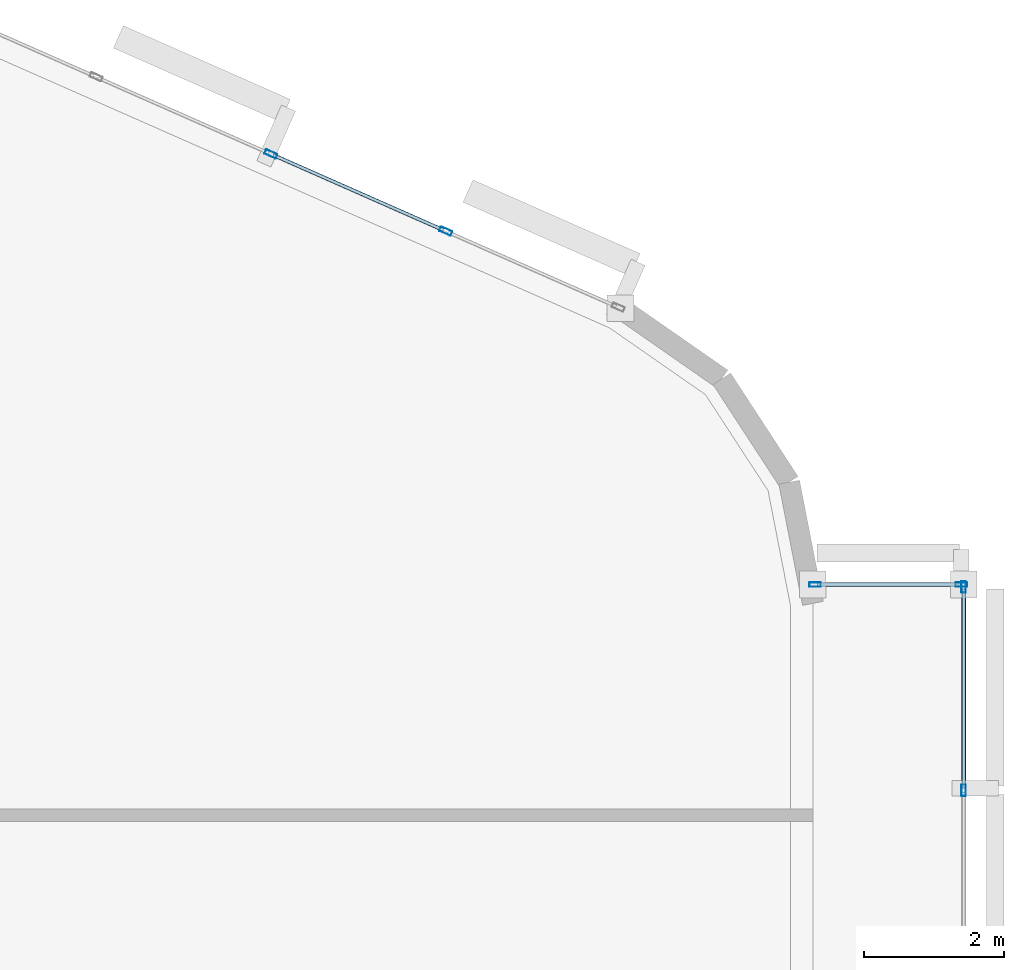
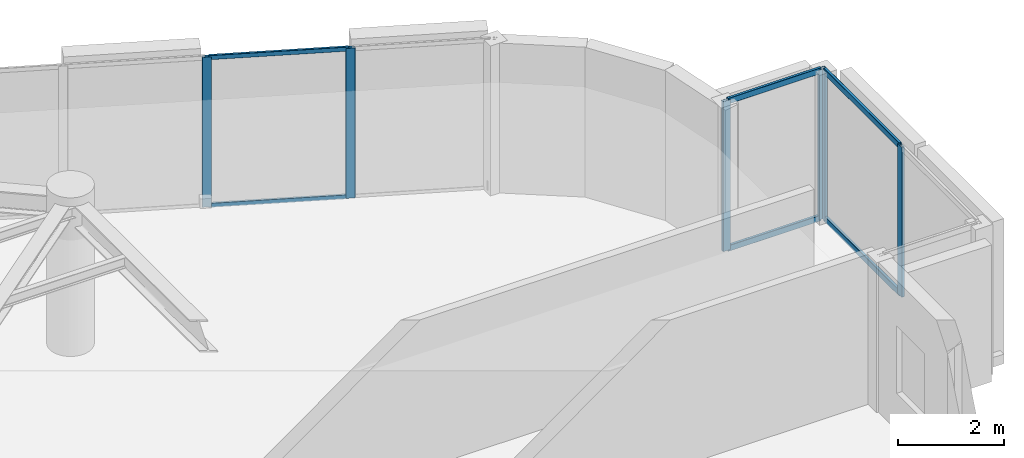
# One storey, part 7 of 13: 12 members, 3 elements without a shape of their own.
"""IFC4 building model written with IfcOpenShell, lengths in metres."""

from ifc_helpers import new_model, si_unit, direction, frame, origin, origin_2d, place, context, subcontext, project, spatial, hollow_rectangle, extrude, material, layer, layer_set, material_profile, profile_set, type_object, element, aggregate, save


model = new_model("IFC4")

# Units and contexts
model_context = context("Model", 3, precision=1e-05, world=origin(), true_north=direction((0.0, 1.0)))
body_context = subcontext(model_context, "Body", "Model", "MODEL_VIEW")
ifc_project = project(units=[si_unit("LENGTHUNIT", "METRE"), si_unit("AREAUNIT", "SQUARE_METRE"), si_unit("VOLUMEUNIT", "CUBIC_METRE"), si_unit("PLANEANGLEUNIT", "RADIAN"), si_unit("MASSUNIT", "GRAM", prefix="KILO")], contexts=[model_context])

# Site, building, storey
site_placement = place(None, origin())
site = spatial("IfcSite", under=ifc_project, at=site_placement, CompositionType="ELEMENT")
building_placement = place(site_placement, origin())
building = spatial("IfcBuilding", under=site, at=building_placement, Name="An Khanh Terracotta Commons", CompositionType="ELEMENT")
storey_placement = place(building_placement, frame((0.0, 0.0, 277.050048828125)))
storey = spatial("IfcBuildingStorey", under=building, at=storey_placement, Name="L72", CompositionType="ELEMENT", Elevation=277.050048828125)

# Curtain wall, members
ifc_material = material(Name="Anodised Aluminium 6063-T6", Category="aluminium")
ifc_layer_1 = layer(ifc_material, 0.239990234375, Name="Anodised Aluminium 6063-T6")
ifc_layer_set_1 = layer_set([ifc_layer_1], Name="Anodised Aluminium 6063-T6")
curtain_wall_type_1 = type_object("IfcCurtainWallType", Name="CW-SYS-04", PredefinedType="USERDEFINED", material=ifc_layer_set_1)
curtain_wall_1_placement = place(storey_placement, origin())
curtain_wall_1 = element("IfcCurtainWall", 1, at=curtain_wall_1_placement, inside=storey, type_object=curtain_wall_type_1, Name="L72 CW-04 Unitised Curtain Wall CW-L72-EBOX-1", ObjectType="UNITISED CURTAIN WALL", PredefinedType="USERDEFINED")
ifc_material_profile_1 = material_profile(ifc_material, hollow_rectangle(XDim=0.06494140625, YDim=0.1650390625, WallThickness=0.00390625, InnerFilletRadius=0.00390625, OuterFilletRadius=0.008056640625, at=origin_2d()), Name="RHS165x65x4")
ifc_profile_set_1 = profile_set([ifc_material_profile_1], Name="Anodised Aluminium 6063-T6")
member_type_1 = type_object("IfcMemberType", Name="CWM-RHS165x65x4", PredefinedType="MULLION", material=ifc_profile_set_1)
member_1_placement = place(storey_placement, frame((77.75, 25.534912109375, 0.0), z_axis=(0.0, 0.0, 1.0), x_axis=(-1.0, 0.0, 0.0)))
member_1 = element("IfcMember", 2, at=member_1_placement, type_object=member_type_1, Name="CW-04 mullion 2", PredefinedType="MULLION", context=body_context, shape_type="SweptSolid", body=[
    extrude(hollow_rectangle(XDim=0.06494140625, YDim=0.1650390625, WallThickness=0.00390625, InnerFilletRadius=0.00390625, OuterFilletRadius=0.008056640625, at=origin_2d()), origin(), (0.0, 0.0, 1.0), 3.449951171875),
])
member_2_placement = place(storey_placement, frame((77.75, 28.4375, 0.0), z_axis=(0.0, 0.0, 1.0), x_axis=(-1.0, 0.0, 0.0)))
member_2 = element("IfcMember", 3, at=member_2_placement, type_object=member_type_1, Name="CW-04 mullion 3", PredefinedType="MULLION", context=body_context, shape_type="SweptSolid", body=[
    extrude(hollow_rectangle(XDim=0.06494140625, YDim=0.1650390625, WallThickness=0.00390625, InnerFilletRadius=0.00390625, OuterFilletRadius=0.008056640625, at=origin_2d()), origin(), (0.0, 0.0, 1.0), 3.449951171875),
])

curtain_wall_2_placement = place(storey_placement, origin())
curtain_wall_2 = element("IfcCurtainWall", 4, at=curtain_wall_2_placement, inside=storey, type_object=curtain_wall_type_1, Name="L72 CW-04 Unitised Curtain Wall CW-L72-EBOX-3", ObjectType="UNITISED CURTAIN WALL", PredefinedType="USERDEFINED")
member_3_placement = place(storey_placement, frame((77.717529296875, 28.469970703125, 0.0), z_axis=(0.0, 0.0, 1.0), x_axis=(0.0, -1.0, 0.0)))
member_3 = element("IfcMember", 5, at=member_3_placement, type_object=member_type_1, Name="CW-04 mullion 1", PredefinedType="MULLION", context=body_context, shape_type="SweptSolid", body=[
    extrude(hollow_rectangle(XDim=0.06494140625, YDim=0.1650390625, WallThickness=0.00390625, InnerFilletRadius=0.00390625, OuterFilletRadius=0.008056640625, at=origin_2d()), origin(), (0.0, 0.0, 1.0), 3.449951171875),
])
member_4_placement = place(storey_placement, frame((75.632568359375, 28.469970703125, 0.0), z_axis=(0.0, 0.0, 1.0), x_axis=(0.0, -1.0, 0.0)))
member_4 = element("IfcMember", 6, at=member_4_placement, type_object=member_type_1, Name="CW-04 mullion 2", PredefinedType="MULLION", context=body_context, shape_type="SweptSolid", body=[
    extrude(hollow_rectangle(XDim=0.06494140625, YDim=0.1650390625, WallThickness=0.00390625, InnerFilletRadius=0.00390625, OuterFilletRadius=0.008056640625, at=origin_2d()), origin(), (0.0, 0.0, 1.0), 3.449951171875),
])

ifc_layer_2 = layer(ifc_material, 0.2099609375, Name="Anodised Aluminium 6063-T6")
ifc_layer_set_2 = layer_set([ifc_layer_2], Name="Anodised Aluminium 6063-T6")
curtain_wall_type_2 = type_object("IfcCurtainWallType", Name="CW-SYS-03", PredefinedType="USERDEFINED", material=ifc_layer_set_2)
curtain_wall_3_placement = place(storey_placement, origin())
curtain_wall_3 = element("IfcCurtainWall", 7, at=curtain_wall_3_placement, inside=storey, type_object=curtain_wall_type_2, Name="L72 CW-03 Unitised Curtain Wall CW-L72-16", ObjectType="UNITISED CURTAIN WALL", PredefinedType="USERDEFINED")
ifc_material_profile_2 = material_profile(ifc_material, hollow_rectangle(XDim=0.070068359375, YDim=0.179931640625, WallThickness=0.00390625, InnerFilletRadius=0.00390625, OuterFilletRadius=0.008056640625, at=origin_2d()), Name="RHS180x70x4")
ifc_profile_set_2 = profile_set([ifc_material_profile_2], Name="Anodised Aluminium 6063-T6")
member_type_2 = type_object("IfcMemberType", Name="CWM-RHS180x70x4", PredefinedType="MULLION", material=ifc_profile_set_2)
member_5_placement = place(storey_placement, frame((70.364501953125, 33.509765625, 0.0), z_axis=(0.0, 0.0, 1.0), x_axis=(-0.403676354285, -0.914901853201, 0.0)))
member_5 = element("IfcMember", 8, at=member_5_placement, type_object=member_type_2, Name="CW-03 mullion 2", PredefinedType="MULLION", context=body_context, shape_type="SweptSolid", body=[
    extrude(hollow_rectangle(XDim=0.070068359375, YDim=0.179931640625, WallThickness=0.00390625, InnerFilletRadius=0.00390625, OuterFilletRadius=0.008056640625, at=origin_2d()), origin(), (0.0, 0.0, 1.0), 3.449951171875),
])
member_6_placement = place(storey_placement, frame((67.8720703125, 34.609619140625, 0.0), z_axis=(0.0, 0.0, 1.0), x_axis=(-0.403676354285, -0.914901853201, 0.0)))
member_6 = element("IfcMember", 9, at=member_6_placement, type_object=member_type_2, Name="CW-03 mullion 3", PredefinedType="MULLION", context=body_context, shape_type="SweptSolid", body=[
    extrude(hollow_rectangle(XDim=0.070068359375, YDim=0.179931640625, WallThickness=0.00390625, InnerFilletRadius=0.00390625, OuterFilletRadius=0.008056640625, at=origin_2d()), origin(), (0.0, 0.0, 1.0), 3.449951171875),
])
ifc_material_profile_3 = material_profile(ifc_material, hollow_rectangle(XDim=0.050048828125, YDim=0.10009765625, WallThickness=0.003173828125, InnerFilletRadius=0.003173828125, OuterFilletRadius=0.00634765625, at=origin_2d()), Name="RHS100x50x3.2")
ifc_profile_set_3 = profile_set([ifc_material_profile_3], Name="Anodised Aluminium 6063-T6")
member_type_3 = type_object("IfcMemberType", Name="CWT-RHS100x50x3.2", PredefinedType="USERDEFINED", material=ifc_profile_set_3)
member_7_placement = place(storey_placement, frame((70.33251953125, 33.52392578125, 0.02490234375), z_axis=(-0.914896820753, 0.403687759755, 0.0), x_axis=(-0.403687759755, -0.914896820753, 0.0)))
member_7 = element("IfcMember", 10, at=member_7_placement, type_object=member_type_3, Name="CW-03 transom 2.1", ObjectType="TRANSOM", PredefinedType="USERDEFINED", context=body_context, shape_type="SweptSolid", body=[
    extrude(hollow_rectangle(XDim=0.050048828125, YDim=0.10009765625, WallThickness=0.003173828125, InnerFilletRadius=0.003173828125, OuterFilletRadius=0.00634765625, at=origin_2d()), origin(), (0.0, 0.0, 1.0), 2.654296875),
])
member_8_placement = place(storey_placement, frame((70.33251953125, 33.52392578125, 3.425048828125), z_axis=(-0.914896820753, 0.403687759755, 0.0), x_axis=(-0.403687759755, -0.914896820753, 0.0)))
member_8 = element("IfcMember", 11, at=member_8_placement, type_object=member_type_3, Name="CW-03 transom 2.2", ObjectType="TRANSOM", PredefinedType="USERDEFINED", context=body_context, shape_type="SweptSolid", body=[
    extrude(hollow_rectangle(XDim=0.050048828125, YDim=0.10009765625, WallThickness=0.003173828125, InnerFilletRadius=0.003173828125, OuterFilletRadius=0.00634765625, at=origin_2d()), origin(), (0.0, 0.0, 1.0), 2.654296875),
])
aggregate(curtain_wall_3, [member_5, member_6, member_7, member_8])

# Member
ifc_material_profile_4 = material_profile(ifc_material, hollow_rectangle(XDim=0.06005859375, YDim=0.135009765625, WallThickness=0.003662109375, InnerFilletRadius=0.003662109375, OuterFilletRadius=0.007080078125, at=origin_2d()), Name="RHS135x60x3.6")
ifc_profile_set_4 = profile_set([ifc_material_profile_4], Name="Anodised Aluminium 6063-T6")
member_type_4 = type_object("IfcMemberType", Name="CWT-RHS135x60x3.6", PredefinedType="USERDEFINED", material=ifc_profile_set_4)
member_9_placement = place(storey_placement, frame((77.75, 25.5673828125, 0.030029296875), z_axis=(0.0, 1.0, 0.0), x_axis=(-1.0, 0.0, 0.0)))
member_9 = element("IfcMember", 12, at=member_9_placement, type_object=member_type_4, Name="CW-04 transom 2.1", ObjectType="TRANSOM", PredefinedType="USERDEFINED", context=body_context, shape_type="SweptSolid", body=[
    extrude(hollow_rectangle(XDim=0.06005859375, YDim=0.135009765625, WallThickness=0.003662109375, InnerFilletRadius=0.003662109375, OuterFilletRadius=0.007080078125, at=origin_2d()), origin(), (0.0, 0.0, 1.0), 2.837646484375),
])

member_10_placement = place(storey_placement, frame((77.75, 25.5673828125, 3.419921875), z_axis=(0.0, 1.0, 0.0), x_axis=(-1.0, 0.0, 0.0)))
member_10 = element("IfcMember", 13, at=member_10_placement, type_object=member_type_4, Name="CW-04 transom 2.2", ObjectType="TRANSOM", PredefinedType="USERDEFINED", context=body_context, shape_type="SweptSolid", body=[
    extrude(hollow_rectangle(XDim=0.06005859375, YDim=0.135009765625, WallThickness=0.003662109375, InnerFilletRadius=0.003662109375, OuterFilletRadius=0.007080078125, at=origin_2d()), origin(), (0.0, 0.0, 1.0), 2.837646484375),
])

aggregate(curtain_wall_1, [member_1, member_2, member_9, member_10])

member_11_placement = place(storey_placement, frame((77.68505859375, 28.469970703125, 0.030029296875), z_axis=(-1.0, 0.0, 0.0), x_axis=(0.0, -1.0, 0.0)))
member_11 = element("IfcMember", 14, at=member_11_placement, type_object=member_type_4, Name="CW-04 transom 1.1", ObjectType="TRANSOM", PredefinedType="USERDEFINED", context=body_context, shape_type="SweptSolid", body=[
    extrude(hollow_rectangle(XDim=0.06005859375, YDim=0.135009765625, WallThickness=0.003662109375, InnerFilletRadius=0.003662109375, OuterFilletRadius=0.007080078125, at=origin_2d()), origin(), (0.0, 0.0, 1.0), 2.02001953125),
])

member_12_placement = place(storey_placement, frame((77.68505859375, 28.469970703125, 3.419921875), z_axis=(-1.0, 0.0, 0.0), x_axis=(0.0, -1.0, 0.0)))
member_12 = element("IfcMember", 15, at=member_12_placement, type_object=member_type_4, Name="CW-04 transom 1.2", ObjectType="TRANSOM", PredefinedType="USERDEFINED", context=body_context, shape_type="SweptSolid", body=[
    extrude(hollow_rectangle(XDim=0.06005859375, YDim=0.135009765625, WallThickness=0.003662109375, InnerFilletRadius=0.003662109375, OuterFilletRadius=0.007080078125, at=origin_2d()), origin(), (0.0, 0.0, 1.0), 2.02001953125),
])

aggregate(curtain_wall_2, [member_3, member_4, member_11, member_12])

save(model, "model.ifc")
